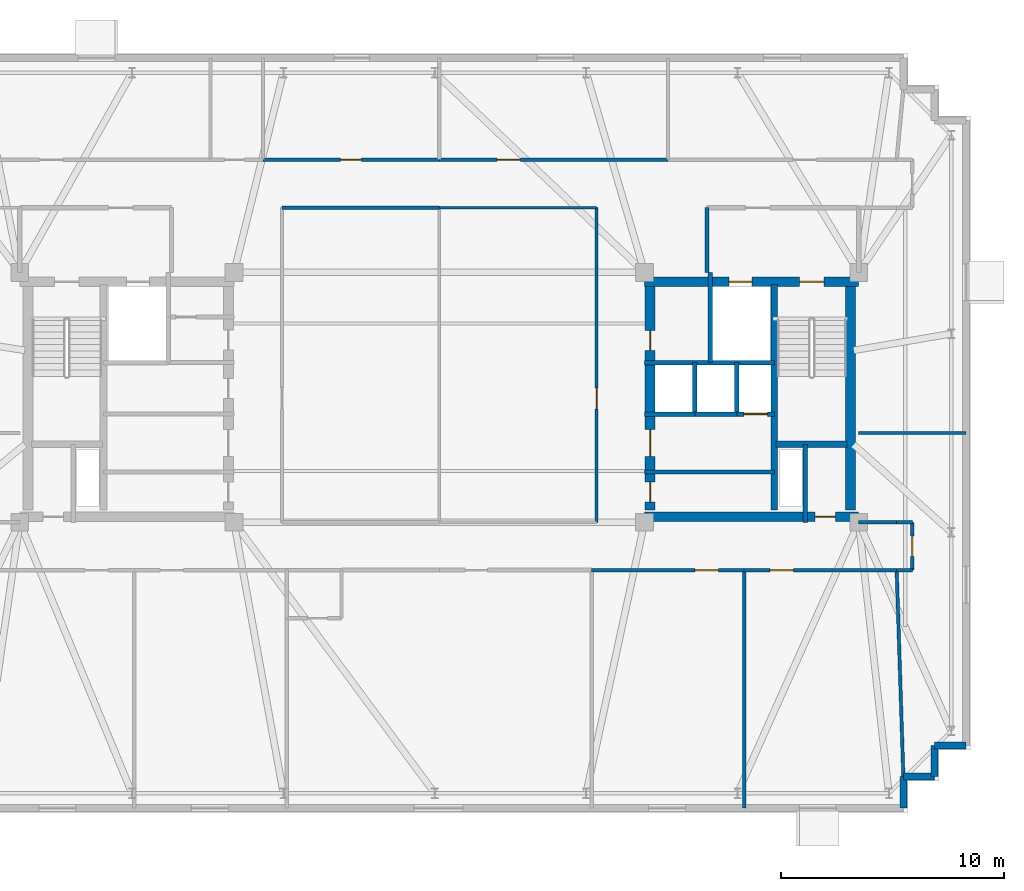
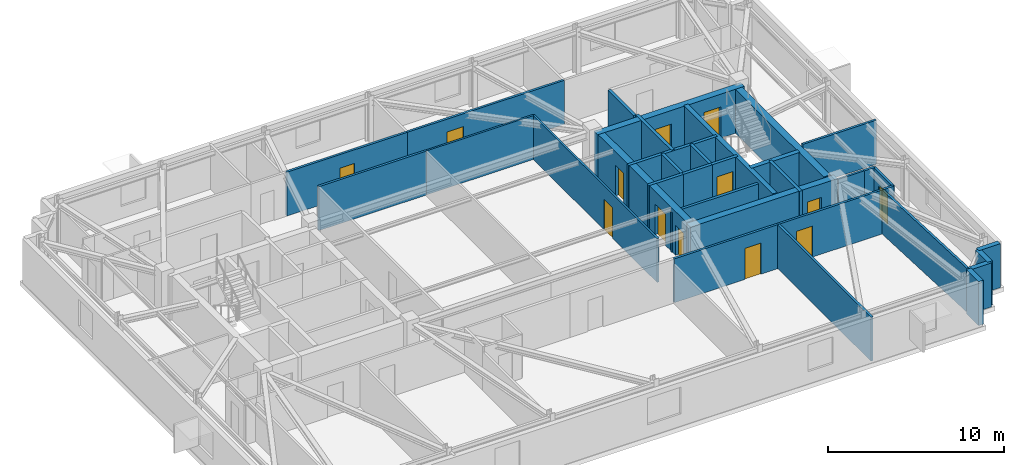
# One storey, part 7 of 10: 34 walls, 13 doors, 13 openings.
"""IFC4 building model written with IfcOpenShell, lengths in metres."""

import ifcopenshell
import ifcopenshell.guid

model = None  # the IFC model being written
_history = None  # IfcOwnerHistory: only IFC2X3 demands one
_inside = {}  # id of a spatial element -> (the spatial element, [elements in it])
_under = {}  # id of a project, library or spatial element -> (it, [spatial elements below it])
_declared = {}  # id of a project -> (the project, [libraries it declares])
_typed = {}  # id of a type object -> (the type object, [elements of that type])
_made_of = {}  # id of a material, layer set ... -> (it, [elements and type objects made of it])


def new_model(schema):
    """Start an empty IFC model of exactly this schema.

    Asked for "IFC4X3", IfcOpenShell would pick the latest addendum, in which some entities
    have other attributes; the version numbers below select the first issue.
    IFC2X3 requires an IfcOwnerHistory on every rooted entity: one is made here for all.
    """
    global model, _history
    if schema == "IFC4X3":
        model = ifcopenshell.file(schema_version=(4, 3, 0, 0))
    else:
        model = ifcopenshell.file(schema=schema)
    _inside.clear()
    _under.clear()
    _declared.clear()
    _typed.clear()
    _made_of.clear()
    _history = None
    if model.schema == "IFC2X3":
        org = make("IfcOrganization", Name="unknown")
        user = make(
            "IfcPersonAndOrganization",
            ThePerson=make("IfcPerson", FamilyName="unknown"),
            TheOrganization=org,
        )
        app = make(
            "IfcApplication",
            ApplicationDeveloper=org,
            Version="unknown",
            ApplicationFullName="unknown",
            ApplicationIdentifier="unknown",
        )
        _history = make(
            "IfcOwnerHistory",
            OwningUser=user,
            OwningApplication=app,
            ChangeAction="ADDED",
            CreationDate=0,
        )
    return model


def make(cls, **values):
    """One entity of the class cls with the attributes given. An attribute that is None is left unset."""
    return model.create_entity(
        cls, **{name: value for name, value in values.items() if value is not None}
    )


def rooted(cls, **values):
    """An entity with a GlobalId (a new one), such as an element, a storey or a relation."""
    return make(cls, GlobalId=ifcopenshell.guid.new(), OwnerHistory=_history, **values)


def si_unit(unit_type, name, prefix=None):
    """IfcSIUnit, for example si_unit("LENGTHUNIT", "METRE", prefix="MILLI")."""
    return make("IfcSIUnit", UnitType=unit_type, Prefix=prefix, Name=name)


def assignment(units):
    """IfcUnitAssignment: the units of a project."""
    return None if units is None else make("IfcUnitAssignment", Units=units)


def point(xyz):
    """IfcCartesianPoint."""
    return None if xyz is None else make("IfcCartesianPoint", Coordinates=xyz)


def direction(xyz):
    """IfcDirection."""
    return None if xyz is None else make("IfcDirection", DirectionRatios=xyz)


def frame(location, z_axis=None, x_axis=None):
    """IfcAxis2Placement3D, a coordinate frame: its origin and axes. An axis left out is left unset."""
    return make(
        "IfcAxis2Placement3D",
        Location=point(location),
        Axis=direction(z_axis),
        RefDirection=direction(x_axis),
    )


def frame_2d(location, x_axis=None):
    """IfcAxis2Placement2D, a coordinate frame in the plane: its origin and x axis."""
    return make(
        "IfcAxis2Placement2D", Location=point(location), RefDirection=direction(x_axis)
    )


def origin():
    """The frame at (0, 0, 0) with its axes left unset."""
    return frame((0.0, 0.0, 0.0))


def place(relative_to, where):
    """IfcLocalPlacement: puts the frame where relative to a parent placement (None: the world)."""
    return make(
        "IfcLocalPlacement", PlacementRelTo=relative_to, RelativePlacement=where
    )


def context(
    kind, dimensions, precision=None, world=None, true_north=None, identifier=None
):
    """IfcGeometricRepresentationContext, for example the 3D "Model" context."""
    return make(
        "IfcGeometricRepresentationContext",
        ContextIdentifier=identifier,
        ContextType=kind,
        CoordinateSpaceDimension=dimensions,
        Precision=precision,
        WorldCoordinateSystem=world,
        TrueNorth=true_north,
    )


def subcontext(parent, identifier, kind, view, scale=None):
    """IfcGeometricRepresentationSubContext, for example "Body" below "Model"."""
    return make(
        "IfcGeometricRepresentationSubContext",
        ContextIdentifier=identifier,
        ContextType=kind,
        ParentContext=parent,
        TargetScale=scale,
        TargetView=view,
    )


def project(units=None, contexts=None):
    """IfcProject with its units and contexts."""
    return rooted(
        "IfcProject",
        Name="project",
        RepresentationContexts=contexts,
        UnitsInContext=assignment(units),
    )


def spatial(cls, under=None, at=None, **own):
    """A site, building, storey or space (cls), placed at a placement, below another one or the project."""
    s = rooted(cls, ObjectPlacement=at, **own)
    if under is not None:
        _under.setdefault(under.id(), (under, []))[1].append(s)
    return s


def profile(cls, at=None, kind="AREA", **sizes):
    """A parametric profile (cls). Its sizes go by their IFC names, for example OverallWidth=200.0."""
    return make(cls, ProfileType=kind, Position=at, **sizes)


def rectangle(**sizes):
    """IfcRectangleProfileDef."""
    return profile("IfcRectangleProfileDef", **sizes)


def extrude(swept, where, along, depth):
    """IfcExtrudedAreaSolid: the profile swept, set in the frame where, extruded along a direction by depth."""
    return make(
        "IfcExtrudedAreaSolid",
        SweptArea=swept,
        Position=where,
        ExtrudedDirection=direction(along),
        Depth=depth,
    )


def shape(context_of_items, identifier, shape_type, items):
    """IfcShapeRepresentation: the items that make up one representation, for example the "Body"."""
    return make(
        "IfcShapeRepresentation",
        ContextOfItems=context_of_items,
        RepresentationIdentifier=identifier,
        RepresentationType=shape_type,
        Items=items,
    )


def material(Name=None, Category=None):
    """IfcMaterial."""
    return make("IfcMaterial", Name=Name, Category=Category)


def layer(
    of_material, thickness, ventilated=None, Name=None, Category=None, Priority=None
):
    """IfcMaterialLayer: one layer of a wall or slab, of a material (None: an air gap)."""
    return make(
        "IfcMaterialLayer",
        Material=of_material,
        LayerThickness=thickness,
        IsVentilated=ventilated,
        Name=Name,
        Category=Category,
        Priority=Priority,
    )


def layer_set(layers, Name=None):
    """IfcMaterialLayerSet."""
    return make("IfcMaterialLayerSet", MaterialLayers=layers, LayerSetName=Name)


def made_of(thing, what):
    """Note that an element or type object is made of a material, layer set ...; save() writes the relation."""
    if what is not None:
        _made_of.setdefault(what.id(), (what, []))[1].append(thing)
    return thing


def type_object(cls, material=None, **own):
    """A type object (cls), such as IfcWallType, which elements share."""
    return made_of(rooted(cls, **own), material)


def element(
    cls,
    number,
    at=None,
    inside=None,
    cuts=None,
    type_object=None,
    material=None,
    context=None,
    identifier="Body",
    shape_type=None,
    held_by="IfcProductDefinitionShape",
    body=None,
    shapes=None,
    **own,
):
    """One element of the class cls, such as IfcWall. Its Tag is "e" and its number.

    at: its placement. inside: the storey or other place that contains it. cuts: it is an
    opening in that element (IfcRelVoidsElement). A single representation is given by context,
    identifier, shape_type and body (its items); several are given by shapes. held_by: the class
    of the entity that holds the representations. save() writes the other relations.
    """
    e = rooted(cls, Tag="e%d" % number, ObjectPlacement=at, **own)
    if body is not None:
        shapes = [shape(context, identifier, shape_type, body)]
    if shapes is not None:
        e.Representation = make(held_by, Representations=shapes)
    if inside is not None:
        _inside.setdefault(inside.id(), (inside, []))[1].append(e)
    if cuts is not None:
        rooted(
            "IfcRelVoidsElement", RelatingBuildingElement=cuts, RelatedOpeningElement=e
        )
    if type_object is not None:
        _typed.setdefault(type_object.id(), (type_object, []))[1].append(e)
    return made_of(e, material)


def fill(opening, filler):
    """IfcRelFillsElement: the door or window that sits in an opening."""
    return rooted(
        "IfcRelFillsElement",
        RelatingOpeningElement=opening,
        RelatedBuildingElement=filler,
    )


def aggregate(whole, parts):
    """IfcRelAggregates: a whole, such as a stair, and the parts it consists of."""
    return rooted("IfcRelAggregates", RelatingObject=whole, RelatedObjects=parts)


def save(model, path):
    """Write the relations noted so far, then the file.

    IfcRelAggregates (storeys below a building ...), IfcRelContainedInSpatialStructure (elements
    in a storey), IfcRelDefinesByType, IfcRelAssociatesMaterial and IfcRelDeclares: one each for
    every whole, place, type object, material and project.
    """
    for whole, parts in _under.values():
        aggregate(whole, parts)
    for where, things in _inside.values():
        rooted(
            "IfcRelContainedInSpatialStructure",
            RelatedElements=things,
            RelatingStructure=where,
        )
    for kind, things in _typed.values():
        rooted("IfcRelDefinesByType", RelatedObjects=things, RelatingType=kind)
    for what, things in _made_of.values():
        rooted("IfcRelAssociatesMaterial", RelatedObjects=things, RelatingMaterial=what)
    for by, libraries in _declared.values():
        rooted("IfcRelDeclares", RelatingContext=by, RelatedDefinitions=libraries)
    model.write(path)


model = new_model("IFC4")

# Units and contexts
model_context = context("Model", 3, precision=1e-05, world=origin(), true_north=direction((0.0, 1.0)))
body_context = subcontext(model_context, "Body", "Model", "MODEL_VIEW")
ifc_project = project(units=[si_unit("LENGTHUNIT", "METRE"), si_unit("AREAUNIT", "SQUARE_METRE"), si_unit("VOLUMEUNIT", "CUBIC_METRE"), si_unit("PLANEANGLEUNIT", "RADIAN"), si_unit("MASSUNIT", "GRAM", prefix="KILO")], contexts=[model_context])

# Site, building, storey
site_placement = place(None, origin())
site = spatial("IfcSite", under=ifc_project, at=site_placement, CompositionType="ELEMENT")
building_placement = place(site_placement, origin())
building = spatial("IfcBuilding", under=site, at=building_placement, Name="Qobustan Lattice House", CompositionType="ELEMENT")
storey_placement = place(building_placement, frame((0.0, 0.0, 231.64990234375)))
storey = spatial("IfcBuildingStorey", under=building, at=storey_placement, Name="L65", CompositionType="ELEMENT", Elevation=231.64990234375)

# Wall, openings, doors
ifc_material_1 = material(Name="Concrete C50/60", Category="concrete")
ifc_layer_1 = layer(ifc_material_1, 0.43994140625)
ifc_layer_set_1 = layer_set([ifc_layer_1], Name="Concrete C50/60")
wall_type_1 = type_object("IfcWallType", Name="WAL-CORE-440", PredefinedType="SHEAR", material=ifc_layer_set_1)
wall_1_placement = place(storey_placement, frame((9.199951171875, 5.179931640625, 0.0), z_axis=(0.0, 0.0, 1.0), x_axis=(1.0, 0.0, 0.0)))
wall_1 = element("IfcWall", 1, at=wall_1_placement, inside=storey, type_object=wall_type_1, Name="L65 split-core shear wall CE-N", PredefinedType="SHEAR", context=body_context, shape_type="SweptSolid", body=[
    extrude(rectangle(XDim=9.60009765625, YDim=0.43994140625, at=frame_2d((4.800048828125, 0.0))), origin(), (0.0, 0.0, 1.0), 3.0400390625),
])
opening_1_placement = place(wall_1_placement, frame((6.949951171875, 0.0, 0.0)))
opening_1 = element("IfcOpeningElement", 2, at=opening_1_placement, cuts=wall_1, Name="Opening SD-01", PredefinedType="OPENING", context=body_context, shape_type="SweptSolid", body=[
    extrude(rectangle(XDim=1.10009765625, YDim=2.14990234375, at=frame_2d((0.550048828125, 1.074951171875))), frame((0.0, 0.22998046875, 0.0), z_axis=(0.0, -1.0, 0.0), x_axis=(1.0, 0.0, 0.0)), (0.0, 0.0, 1.0), 0.4599609375),
])
opening_2_placement = place(wall_1_placement, frame((3.77490234375, 0.0, 0.0)))
opening_2 = element("IfcOpeningElement", 3, at=opening_2_placement, cuts=wall_1, Name="Opening LD-01", PredefinedType="OPENING", context=body_context, shape_type="SweptSolid", body=[
    extrude(rectangle(XDim=1.050048828125, YDim=2.10009765625, at=frame_2d((0.52490234375, 1.050048828125))), frame((0.0, 0.22998046875, 0.0), z_axis=(0.0, -1.0, 0.0), x_axis=(1.0, 0.0, 0.0)), (0.0, 0.0, 1.0), 0.4599609375),
])
ifc_material_2 = material(Name="Persian walnut timber and steel frame door", Category="steel")
door_type_1 = type_object("IfcDoorType", Name="DOR-LIFT-LD-1050x2100", OperationType="NOTDEFINED", PredefinedType="DOOR", material=ifc_material_2)
door_1_placement = place(opening_2_placement, origin())
door_1 = element("IfcDoor", 4, at=door_1_placement, inside=storey, type_object=door_type_1, Name="L65 firefighting lift FF-E landing door", OperationType="DOUBLE_DOOR_SLIDING", OverallHeight=2.10009765625, OverallWidth=1.050048828125, PredefinedType="DOOR", context=body_context, shape_type="SweptSolid", body=[
    extrude(rectangle(XDim=1.050048828125, YDim=2.10009765625, at=frame_2d((0.52490234375, 1.050048828125))), frame((0.0, 0.02490234375, 0.0), z_axis=(0.0, -1.0, 0.0), x_axis=(1.0, 0.0, 0.0)), (0.0, 0.0, 1.0), 0.050048828125),
])
fill(opening_2, door_1)
ifc_material_3 = material(Name="Persian walnut timber and steel frame door", Category="steel")
door_type_2 = type_object("IfcDoorType", Name="DOR-STAIR-FD-1100x2150", OperationType="NOTDEFINED", PredefinedType="DOOR", material=ifc_material_3)
door_2_placement = place(opening_1_placement, origin())
door_2 = element("IfcDoor", 5, at=door_2_placement, inside=storey, type_object=door_type_2, Name="L65 exit stair ST-E1 fire door", OperationType="SINGLE_SWING_RIGHT", OverallHeight=2.14990234375, OverallWidth=1.10009765625, PredefinedType="DOOR", context=body_context, shape_type="SweptSolid", body=[
    extrude(rectangle(XDim=1.10009765625, YDim=2.14990234375, at=frame_2d((0.550048828125, 1.074951171875))), frame((0.0, 0.02490234375, 0.0), z_axis=(0.0, -1.0, 0.0), x_axis=(1.0, 0.0, 0.0)), (0.0, 0.0, 1.0), 0.050048828125),
])
fill(opening_1, door_2)

# Wall, opening, door
wall_2_placement = place(storey_placement, frame((9.199951171875, -5.35009765625, 0.0), z_axis=(0.0, 0.0, 1.0), x_axis=(1.0, 0.0, 0.0)))
wall_2 = element("IfcWall", 6, at=wall_2_placement, inside=storey, type_object=wall_type_1, Name="L65 split-core shear wall CE-S", PredefinedType="SHEAR", context=body_context, shape_type="SweptSolid", body=[
    extrude(rectangle(XDim=9.60009765625, YDim=0.43994140625, at=frame_2d((4.800048828125, 0.0))), origin(), (0.0, 0.0, 1.0), 3.0400390625),
])
opening_3_placement = place(wall_2_placement, frame((7.64990234375, 0.0, 0.0)))
opening_3 = element("IfcOpeningElement", 7, at=opening_3_placement, cuts=wall_2, Name="Opening RD-01", PredefinedType="OPENING", context=body_context, shape_type="SweptSolid", body=[
    extrude(rectangle(XDim=0.89990234375, YDim=2.10009765625, at=frame_2d((0.449951171875, 1.050048828125))), frame((0.0, 0.22998046875, 0.0), z_axis=(0.0, -1.0, 0.0), x_axis=(1.0, 0.0, 0.0)), (0.0, 0.0, 1.0), 0.4599609375),
])
ifc_material_4 = material(Name="Persian walnut timber and steel frame door", Category="steel")
door_type_3 = type_object("IfcDoorType", Name="DOR-RISER-FD-900x2100", OperationType="NOTDEFINED", PredefinedType="DOOR", material=ifc_material_4)
door_3_placement = place(opening_3_placement, origin())
door_3 = element("IfcDoor", 8, at=door_3_placement, inside=storey, type_object=door_type_3, Name="L65 core service riser access door E", OperationType="SINGLE_SWING_RIGHT", OverallHeight=2.10009765625, OverallWidth=0.89990234375, PredefinedType="DOOR", context=body_context, shape_type="SweptSolid", body=[
    extrude(rectangle(XDim=0.89990234375, YDim=2.10009765625, at=frame_2d((0.449951171875, 1.050048828125))), frame((0.0, 0.02490234375, 0.0), z_axis=(0.0, -1.0, 0.0), x_axis=(1.0, 0.0, 0.0)), (0.0, 0.0, 1.0), 0.050048828125),
])
fill(opening_3, door_3)

# Wall, openings, doors
wall_3_placement = place(storey_placement, frame((9.449951171875, -5.050048828125, 0.0), z_axis=(0.0, 0.0, 1.0), x_axis=(0.0, 1.0, 0.0)))
wall_3 = element("IfcWall", 9, at=wall_3_placement, inside=storey, type_object=wall_type_1, Name="L65 split-core shear wall CE-W", PredefinedType="SHEAR", context=body_context, shape_type="SweptSolid", body=[
    extrude(rectangle(XDim=10.10009765625, YDim=0.43994140625, at=frame_2d((5.050048828125, 0.0))), origin(), (0.0, 0.0, 1.0), 3.0400390625),
])
opening_4_placement = place(wall_3_placement, frame((7.14990234375, 0.0, 0.0)))
opening_4 = element("IfcOpeningElement", 10, at=opening_4_placement, cuts=wall_3, Name="Opening RD-01", PredefinedType="OPENING", context=body_context, shape_type="SweptSolid", body=[
    extrude(rectangle(XDim=0.89990234375, YDim=2.10009765625, at=frame_2d((0.449951171875, 1.050048828125))), frame((0.0, 0.22998046875, 0.0), z_axis=(0.0, -1.0, 0.0), x_axis=(1.0, 0.0, 0.0)), (0.0, 0.0, 1.0), 0.4599609375),
])
opening_5_placement = place(wall_3_placement, frame((2.39990234375, 0.0, 0.0)))
opening_5 = element("IfcOpeningElement", 11, at=opening_5_placement, cuts=wall_3, Name="Opening FD-01", PredefinedType="OPENING", context=body_context, shape_type="SweptSolid", body=[
    extrude(rectangle(XDim=1.199951171875, YDim=2.14990234375, at=frame_2d((0.60009765625, 1.074951171875))), frame((0.0, 0.22998046875, 0.0), z_axis=(0.0, -1.0, 0.0), x_axis=(1.0, 0.0, 0.0)), (0.0, 0.0, 1.0), 0.4599609375),
])
opening_6_placement = place(wall_3_placement, frame((0.35009765625, 0.0, 0.0)))
opening_6 = element("IfcOpeningElement", 12, at=opening_6_placement, cuts=wall_3, Name="Opening RD-01", PredefinedType="OPENING", context=body_context, shape_type="SweptSolid", body=[
    extrude(rectangle(XDim=0.89990234375, YDim=2.10009765625, at=frame_2d((0.449951171875, 1.050048828125))), frame((0.0, 0.22998046875, 0.0), z_axis=(0.0, -1.0, 0.0), x_axis=(1.0, 0.0, 0.0)), (0.0, 0.0, 1.0), 0.4599609375),
])
ifc_material_5 = material(Name="Persian walnut timber and steel frame door", Category="steel")
door_type_4 = type_object("IfcDoorType", Name="DOR-LOBBY-FD-1200x2150", OperationType="NOTDEFINED", PredefinedType="DOOR", material=ifc_material_5)
door_4_placement = place(opening_5_placement, origin())
door_4 = element("IfcDoor", 13, at=door_4_placement, inside=storey, type_object=door_type_4, Name="L65 East passenger lift lobby fire door", OperationType="SINGLE_SWING_LEFT", OverallHeight=2.14990234375, OverallWidth=1.199951171875, PredefinedType="DOOR", context=body_context, shape_type="SweptSolid", body=[
    extrude(rectangle(XDim=1.199951171875, YDim=2.14990234375, at=frame_2d((0.60009765625, 1.074951171875))), frame((0.0, 0.02490234375, 0.0), z_axis=(0.0, -1.0, 0.0), x_axis=(1.0, 0.0, 0.0)), (0.0, 0.0, 1.0), 0.050048828125),
])
fill(opening_5, door_4)
door_5_placement = place(opening_4_placement, origin())
door_5 = element("IfcDoor", 14, at=door_5_placement, inside=storey, type_object=door_type_3, Name="L65 Housekeeping linen store fire door", OperationType="SINGLE_SWING_RIGHT", OverallHeight=2.10009765625, OverallWidth=0.89990234375, PredefinedType="DOOR", context=body_context, shape_type="SweptSolid", body=[
    extrude(rectangle(XDim=0.89990234375, YDim=2.10009765625, at=frame_2d((0.449951171875, 1.050048828125))), frame((0.0, 0.02490234375, 0.0), z_axis=(0.0, -1.0, 0.0), x_axis=(1.0, 0.0, 0.0)), (0.0, 0.0, 1.0), 0.050048828125),
])
fill(opening_4, door_5)
door_6_placement = place(opening_6_placement, origin())
door_6 = element("IfcDoor", 15, at=door_6_placement, inside=storey, type_object=door_type_3, Name="L65 Graduate seminar alcove fire door", OperationType="SINGLE_SWING_RIGHT", OverallHeight=2.10009765625, OverallWidth=0.89990234375, PredefinedType="DOOR", context=body_context, shape_type="SweptSolid", body=[
    extrude(rectangle(XDim=0.89990234375, YDim=2.10009765625, at=frame_2d((0.449951171875, 1.050048828125))), frame((0.0, 0.02490234375, 0.0), z_axis=(0.0, -1.0, 0.0), x_axis=(1.0, 0.0, 0.0)), (0.0, 0.0, 1.0), 0.050048828125),
])
fill(opening_6, door_6)

# Walls
wall_4_placement = place(storey_placement, frame((18.429931640625, -5.050048828125, 0.0), z_axis=(0.0, 0.0, 1.0), x_axis=(0.0, 1.0, 0.0)))
element("IfcWall", 16, at=wall_4_placement, inside=storey, type_object=wall_type_1, Name="L65 split-core shear wall CE-E", PredefinedType="SHEAR", context=body_context, shape_type="SweptSolid", body=[
    extrude(rectangle(XDim=10.10009765625, YDim=0.43994140625, at=frame_2d((5.050048828125, 0.0))), origin(), (0.0, 0.0, 1.0), 3.0400390625),
])
ifc_material_6 = material(Name="Concrete C50/60", Category="concrete")
ifc_layer_2 = layer(ifc_material_6, 0.280029296875)
ifc_layer_set_2 = layer_set([ifc_layer_2], Name="Concrete C50/60")
wall_type_2 = type_object("IfcWallType", Name="WAL-CORE-SPINE-280", PredefinedType="SHEAR", material=ifc_layer_set_2)
wall_5_placement = place(storey_placement, frame((15.02001953125, -5.050048828125, 0.0), z_axis=(0.0, 0.0, 1.0), x_axis=(0.0, 1.0, 0.0)))
element("IfcWall", 17, at=wall_5_placement, inside=storey, type_object=wall_type_2, Name="L65 split-core shear wall CE-M", PredefinedType="SHEAR", context=body_context, shape_type="SweptSolid", body=[
    extrude(rectangle(XDim=10.10009765625, YDim=0.300048828125, at=frame_2d((5.050048828125, 0.0))), origin(), (0.0, 0.0, 1.0), 3.0400390625),
])
wall_6_placement = place(storey_placement, frame((15.10009765625, -2.110107421875, 0.0), z_axis=(0.0, 0.0, 1.0), x_axis=(1.0, 0.0, 0.0)))
element("IfcWall", 18, at=wall_6_placement, inside=storey, type_object=wall_type_2, Name="L65 split-core shear wall CE-ST", PredefinedType="SHEAR", context=body_context, shape_type="SweptSolid", body=[
    extrude(rectangle(XDim=3.179931640625, YDim=0.300048828125, at=frame_2d((1.58984375, 0.0))), origin(), (0.0, 0.0, 1.0), 3.0400390625),
])
ifc_material_7 = material(Name="Precast concrete C40/50", Category="concrete")
ifc_layer_3 = layer(ifc_material_7, 0.320068359375)
ifc_layer_set_3 = layer_set([ifc_layer_3], Name="Precast concrete C40/50")
wall_type_3 = type_object("IfcWallType", Name="WAL-EXT-STONE-320", PredefinedType="SOLIDWALL", material=ifc_layer_set_3)
wall_7_placement = place(storey_placement, frame((23.60009765625, -15.60009765625, 0.0), z_axis=(0.0, 0.0, 1.0), x_axis=(-1.0, 0.0, 0.0)))
element("IfcWall", 19, at=wall_7_placement, inside=storey, type_object=wall_type_3, Name="L65 exterior limestone-clad wall 16", PredefinedType="SOLIDWALL", context=body_context, shape_type="SweptSolid", body=[
    extrude(rectangle(XDim=1.400146484375, YDim=0.320068359375, at=frame_2d((0.7001953125, 0.0))), origin(), (0.0, 0.0, 1.0), 3.0400390625),
])
for number, where, z_axis, x_axis, name in (
    (20, (22.199951171875, -15.60009765625, 0.0), (0.0, 0.0, 1.0), (0.0, -1.0, 0.0), "L65 exterior limestone-clad wall 17"),
    (21, (22.199951171875, -17.0, 0.0), (0.0, 0.0, 1.0), (-1.0, 0.0, 0.0), "L65 exterior limestone-clad wall 18"),
    (22, (20.800048828125, -17.0, 0.0), (0.0, 0.0, 1.0), (0.0, -1.0, 0.0), "L65 exterior limestone-clad wall 19"),
):
    element("IfcWall", number, at=place(storey_placement, frame(where, z_axis=z_axis, x_axis=x_axis)), inside=storey, type_object=wall_type_3, Name=name, PredefinedType="SOLIDWALL", context=body_context, shape_type="SweptSolid", body=[
        extrude(rectangle(XDim=1.39990234375, YDim=0.320068359375, at=frame_2d((0.699951171875, 0.0))), origin(), (0.0, 0.0, 1.0), 3.0400390625),
    ])
ifc_material_8 = material(Name="Gypsum fireboard acoustic partition", Category="gypsum")
ifc_layer_4 = layer(ifc_material_8, 0.179931640625)
ifc_layer_set_4 = layer_set([ifc_layer_4], Name="Gypsum fireboard acoustic partition")
wall_type_4 = type_object("IfcWallType", Name="WAL-FIRE-180", PredefinedType="PARTITIONING", material=ifc_layer_set_4)
wall_8_placement = place(storey_placement, frame((9.199951171875, -3.35009765625, 0.0), z_axis=(0.0, 0.0, 1.0), x_axis=(1.0, 0.0, 0.0)))
element("IfcWall", 23, at=wall_8_placement, inside=storey, type_object=wall_type_4, Name="L65 interior partition 21", PredefinedType="PARTITIONING", context=body_context, shape_type="SweptSolid", body=[
    extrude(rectangle(XDim=5.820068359375, YDim=0.179931640625, at=frame_2d((2.91015625, 0.0))), origin(), (0.0, 0.0, 1.0), 2.755126953125),
])
ifc_material_9 = material(Name="Lightweight acoustic stud partition", Category="gypsum")
ifc_layer_5 = layer(ifc_material_9, 0.125)
ifc_layer_set_5 = layer_set([ifc_layer_5], Name="Lightweight acoustic stud partition")
wall_type_5 = type_object("IfcWallType", Name="WAL-PART-125", PredefinedType="PARTITIONING", material=ifc_layer_set_5)
wall_9_placement = place(storey_placement, frame((7.050048828125, 8.5, 0.0), z_axis=(0.0, 0.0, 1.0), x_axis=(-1.0, 0.0, 0.0)))
element("IfcWall", 24, at=wall_9_placement, inside=storey, type_object=wall_type_5, Name="L65 interior partition 43", PredefinedType="PARTITIONING", context=body_context, shape_type="SweptSolid", body=[
    extrude(rectangle(XDim=7.050048828125, YDim=0.125, at=frame_2d((3.52490234375, 0.0))), origin(), (0.0, 0.0, 1.0), 3.0400390625),
])

# Wall, opening, door
wall_10_placement = place(storey_placement, frame((7.050048828125, -5.60009765625, 0.0), z_axis=(0.0, 0.0, 1.0), x_axis=(0.0, 1.0, 0.0)))
wall_10 = element("IfcWall", 25, at=wall_10_placement, inside=storey, type_object=wall_type_5, Name="L65 interior partition 62", PredefinedType="PARTITIONING", context=body_context, shape_type="SweptSolid", body=[
    extrude(rectangle(XDim=14.10009765625, YDim=0.125, at=frame_2d((7.050048828125, 0.0))), origin(), (0.0, 0.0, 1.0), 3.0400390625),
])
opening_7_placement = place(wall_10_placement, frame((5.076171875, 0.0, 0.0)))
opening_7 = element("IfcOpeningElement", 26, at=opening_7_placement, cuts=wall_10, Name="Opening ID-01", PredefinedType="OPENING", context=body_context, shape_type="SweptSolid", body=[
    extrude(rectangle(XDim=0.949951171875, YDim=2.10009765625, at=frame_2d((0.47509765625, 1.050048828125))), frame((0.0, 0.072509765625, 0.0), z_axis=(0.0, -1.0, 0.0), x_axis=(1.0, 0.0, 0.0)), (0.0, 0.0, 1.0), 0.14501953125),
])
ifc_material_10 = material(Name="Persian walnut timber and steel frame door", Category="steel")
door_type_5 = type_object("IfcDoorType", Name="DOR-ROOM-950x2100", OperationType="NOTDEFINED", PredefinedType="DOOR", material=ifc_material_10)
door_7_placement = place(opening_7_placement, origin())
door_7 = element("IfcDoor", 27, at=door_7_placement, inside=storey, type_object=door_type_5, Name="L65 East floor link corridor to Focus pod suite door", OperationType="SINGLE_SWING_RIGHT", OverallHeight=2.10009765625, OverallWidth=0.949951171875, PredefinedType="DOOR", context=body_context, shape_type="SweptSolid", body=[
    extrude(rectangle(XDim=0.949951171875, YDim=2.10009765625, at=frame_2d((0.47509765625, 1.050048828125))), frame((0.0, 0.02490234375, 0.0), z_axis=(0.0, -1.0, 0.0), x_axis=(1.0, 0.0, 0.0)), (0.0, 0.0, 1.0), 0.050048828125),
])
fill(opening_7, door_7)

ifc_material_11 = material(Name="Acoustic twin-stud gypsum partition", Category="gypsum")
ifc_layer_6 = layer(ifc_material_11, 0.14990234375)
ifc_layer_set_6 = layer_set([ifc_layer_6], Name="Acoustic twin-stud gypsum partition")
wall_type_6 = type_object("IfcWallType", Name="WAL-PART-150", PredefinedType="PARTITIONING", material=ifc_layer_set_6)
wall_11_placement = place(storey_placement, frame((-7.89990234375, 10.64990234375, 0.0), z_axis=(0.0, 0.0, 1.0), x_axis=(1.0, 0.0, 0.0)))
wall_11 = element("IfcWall", 28, at=wall_11_placement, inside=storey, type_object=wall_type_6, Name="L65 interior partition 35", PredefinedType="PARTITIONING", context=body_context, shape_type="SweptSolid", body=[
    extrude(rectangle(XDim=7.89990234375, YDim=0.14990234375, at=frame_2d((3.949951171875, 0.0))), origin(), (0.0, 0.0, 1.0), 3.0400390625),
])
opening_8_placement = place(wall_11_placement, frame((3.47509765625, 0.0, 0.0)))
opening_8 = element("IfcOpeningElement", 29, at=opening_8_placement, cuts=wall_11, Name="Opening ID-01", PredefinedType="OPENING", context=body_context, shape_type="SweptSolid", body=[
    extrude(rectangle(XDim=0.949951171875, YDim=2.10009765625, at=frame_2d((0.47509765625, 1.050048828125))), frame((0.0, 0.0849609375, 0.0), z_axis=(0.0, -1.0, 0.0), x_axis=(1.0, 0.0, 0.0)), (0.0, 0.0, 1.0), 0.169921875),
])
door_8_placement = place(opening_8_placement, origin())
door_8 = element("IfcDoor", 30, at=door_8_placement, inside=storey, type_object=door_type_5, Name="L65 North-west floor corridor to Laundry utility room door", OperationType="SINGLE_SWING_RIGHT", OverallHeight=2.10009765625, OverallWidth=0.949951171875, PredefinedType="DOOR", context=body_context, shape_type="SweptSolid", body=[
    extrude(rectangle(XDim=0.949951171875, YDim=2.10009765625, at=frame_2d((0.47509765625, 1.050048828125))), frame((0.0, 0.02490234375, 0.0), z_axis=(0.0, -1.0, 0.0), x_axis=(1.0, 0.0, 0.0)), (0.0, 0.0, 1.0), 0.050048828125),
])
fill(opening_8, door_8)

# Wall
wall_12_placement = place(storey_placement, frame((0.0, 8.5, 0.0), z_axis=(0.0, 0.0, 1.0), x_axis=(-1.0, 0.0, 0.0)))
element("IfcWall", 31, at=wall_12_placement, inside=storey, type_object=wall_type_6, Name="L65 interior partition 36", PredefinedType="PARTITIONING", context=body_context, shape_type="SweptSolid", body=[
    extrude(rectangle(XDim=7.050048828125, YDim=0.14990234375, at=frame_2d((3.52490234375, 0.0))), origin(), (0.0, 0.0, 1.0), 3.0400390625),
])

# Wall, opening, door
wall_13_placement = place(storey_placement, frame((0.0, 10.64990234375, 0.0), z_axis=(0.0, 0.0, 1.0), x_axis=(1.0, 0.0, 0.0)))
wall_13 = element("IfcWall", 32, at=wall_13_placement, inside=storey, type_object=wall_type_6, Name="L65 interior partition 41", PredefinedType="PARTITIONING", context=body_context, shape_type="SweptSolid", body=[
    extrude(rectangle(XDim=10.25, YDim=0.14990234375, at=frame_2d((5.125, 0.0))), origin(), (0.0, 0.0, 1.0), 3.0400390625),
])
opening_9_placement = place(wall_13_placement, frame((2.590087890625, 0.0, 0.0)))
opening_9 = element("IfcOpeningElement", 33, at=opening_9_placement, cuts=wall_13, Name="Opening ID-02", PredefinedType="OPENING", context=body_context, shape_type="SweptSolid", body=[
    extrude(rectangle(XDim=1.050048828125, YDim=2.14990234375, at=frame_2d((0.52490234375, 1.074951171875))), frame((0.0, 0.0849609375, 0.0), z_axis=(0.0, -1.0, 0.0), x_axis=(1.0, 0.0, 0.0)), (0.0, 0.0, 1.0), 0.169921875),
])
ifc_material_12 = material(Name="Persian walnut timber and steel frame door", Category="steel")
door_type_6 = type_object("IfcDoorType", Name="DOR-STUDY-1050x2150", OperationType="NOTDEFINED", PredefinedType="DOOR", material=ifc_material_12)
door_9_placement = place(opening_9_placement, origin())
door_9 = element("IfcDoor", 34, at=door_9_placement, inside=storey, type_object=door_type_6, Name="L65 North-east floor corridor to Focus study room N3 door", OperationType="SINGLE_SWING_RIGHT", OverallHeight=2.14990234375, OverallWidth=1.050048828125, PredefinedType="DOOR", context=body_context, shape_type="SweptSolid", body=[
    extrude(rectangle(XDim=1.050048828125, YDim=2.14990234375, at=frame_2d((0.52490234375, 1.074951171875))), frame((0.0, 0.02490234375, 0.0), z_axis=(0.0, -1.0, 0.0), x_axis=(1.0, 0.0, 0.0)), (0.0, 0.0, 1.0), 0.050048828125),
])
fill(opening_9, door_9)

wall_14_placement = place(storey_placement, frame((21.199951171875, -5.60009765625, 0.0), z_axis=(0.0, 0.0, 1.0), x_axis=(0.0, -1.0, 0.0)))
wall_14 = element("IfcWall", 35, at=wall_14_placement, inside=storey, type_object=wall_type_6, Name="L65 interior partition 53", PredefinedType="PARTITIONING", context=body_context, shape_type="SweptSolid", body=[
    extrude(rectangle(XDim=2.14990234375, YDim=0.14990234375, at=frame_2d((1.074951171875, 0.0))), origin(), (0.0, 0.0, 1.0), 3.0400390625),
])
opening_10_placement = place(wall_14_placement, frame((0.625, 0.0, 0.0)))
opening_10 = element("IfcOpeningElement", 36, at=opening_10_placement, cuts=wall_14, Name="Opening WD-01", PredefinedType="OPENING", context=body_context, shape_type="SweptSolid", body=[
    extrude(rectangle(XDim=0.89990234375, YDim=2.10009765625, at=frame_2d((0.449951171875, 1.050048828125))), frame((0.0, 0.0849609375, 0.0), z_axis=(0.0, -1.0, 0.0), x_axis=(1.0, 0.0, 0.0)), (0.0, 0.0, 1.0), 0.169921875),
])
ifc_material_13 = material(Name="Persian walnut timber and steel frame door", Category="steel")
door_type_7 = type_object("IfcDoorType", Name="DOR-WET-900x2100", OperationType="NOTDEFINED", PredefinedType="DOOR", material=ifc_material_13)
door_10_placement = place(opening_10_placement, origin())
door_10 = element("IfcDoor", 37, at=door_10_placement, inside=storey, type_object=door_type_7, Name="L65 South-east floor corridor to Fellows reading room door", OperationType="SINGLE_SWING_LEFT", OverallHeight=2.10009765625, OverallWidth=0.89990234375, PredefinedType="DOOR", context=body_context, shape_type="SweptSolid", body=[
    extrude(rectangle(XDim=0.89990234375, YDim=2.10009765625, at=frame_2d((0.449951171875, 1.050048828125))), frame((0.0, 0.02490234375, 0.0), z_axis=(0.0, -1.0, 0.0), x_axis=(1.0, 0.0, 0.0)), (0.0, 0.0, 1.0), 0.050048828125),
])
fill(opening_10, door_10)

# Walls
wall_15_placement = place(storey_placement, frame((18.800048828125, -5.60009765625, 0.0), z_axis=(0.0, 0.0, 1.0), x_axis=(1.0, 0.0, 0.0)))
element("IfcWall", 38, at=wall_15_placement, inside=storey, type_object=wall_type_6, Name="L65 interior partition 54", PredefinedType="PARTITIONING", context=body_context, shape_type="SweptSolid", body=[
    extrude(rectangle(XDim=1.699951171875, YDim=0.14990234375, at=frame_2d((0.85009765625, 0.0))), origin(), (0.0, 0.0, 1.0), 3.0400390625),
])
for number, where, z_axis, x_axis, name in (
    (39, (20.5, -5.60009765625, 0.0), (0.0, 0.0, 1.0), (1.0, 0.0, 0.0), "L65 interior partition 55"),
    (40, (21.199951171875, -7.75, 0.0), (0.0, 0.0, 1.0), (-1.0, 0.0, 0.0), "L65 interior partition 56"),
):
    element("IfcWall", number, at=place(storey_placement, frame(where, z_axis=z_axis, x_axis=x_axis)), inside=storey, type_object=wall_type_6, Name=name, PredefinedType="PARTITIONING", context=body_context, shape_type="SweptSolid", body=[
        extrude(rectangle(XDim=0.699951171875, YDim=0.14990234375, at=frame_2d((0.35009765625, 0.0))), origin(), (0.0, 0.0, 1.0), 3.0400390625),
    ])

# Wall, opening, door
wall_16_placement = place(storey_placement, frame((13.66650390625, -7.75, 0.0), z_axis=(0.0, 0.0, 1.0), x_axis=(-1.0, 0.0, 0.0)))
wall_16 = element("IfcWall", 41, at=wall_16_placement, inside=storey, type_object=wall_type_6, Name="L65 interior partition 58", PredefinedType="PARTITIONING", context=body_context, shape_type="SweptSolid", body=[
    extrude(rectangle(XDim=6.83349609375, YDim=0.14990234375, at=frame_2d((3.416748046875, 0.0))), origin(), (0.0, 0.0, 1.0), 3.0400390625),
])
opening_11_placement = place(wall_16_placement, frame((1.157958984375, 0.0, 0.0)))
opening_11 = element("IfcOpeningElement", 42, at=opening_11_placement, cuts=wall_16, Name="Opening ID-02", PredefinedType="OPENING", context=body_context, shape_type="SweptSolid", body=[
    extrude(rectangle(XDim=1.050048828125, YDim=2.14990234375, at=frame_2d((0.52490234375, 1.074951171875))), frame((0.0, 0.0849609375, 0.0), z_axis=(0.0, -1.0, 0.0), x_axis=(1.0, 0.0, 0.0)), (0.0, 0.0, 1.0), 0.169921875),
])
door_11_placement = place(opening_11_placement, origin())
door_11 = element("IfcDoor", 43, at=door_11_placement, inside=storey, type_object=door_type_6, Name="L65 South-east floor corridor to Group study room door", OperationType="SINGLE_SWING_LEFT", OverallHeight=2.14990234375, OverallWidth=1.050048828125, PredefinedType="DOOR", context=body_context, shape_type="SweptSolid", body=[
    extrude(rectangle(XDim=1.050048828125, YDim=2.14990234375, at=frame_2d((0.52490234375, 1.074951171875))), frame((0.0, 0.02490234375, 0.0), z_axis=(0.0, -1.0, 0.0), x_axis=(1.0, 0.0, 0.0)), (0.0, 0.0, 1.0), 0.050048828125),
])
fill(opening_11, door_11)

wall_17_placement = place(storey_placement, frame((20.5, -7.75, 0.0), z_axis=(0.0, 0.0, 1.0), x_axis=(-1.0, 0.0, 0.0)))
wall_17 = element("IfcWall", 44, at=wall_17_placement, inside=storey, type_object=wall_type_6, Name="L65 interior partition 59", PredefinedType="PARTITIONING", context=body_context, shape_type="SweptSolid", body=[
    extrude(rectangle(XDim=6.83349609375, YDim=0.14990234375, at=frame_2d((3.416748046875, 0.0))), origin(), (0.0, 0.0, 1.0), 3.0400390625),
])
opening_12_placement = place(wall_17_placement, frame((4.62548828125, 0.0, 0.0)))
opening_12 = element("IfcOpeningElement", 45, at=opening_12_placement, cuts=wall_17, Name="Opening ID-02", PredefinedType="OPENING", context=body_context, shape_type="SweptSolid", body=[
    extrude(rectangle(XDim=1.050048828125, YDim=2.14990234375, at=frame_2d((0.52490234375, 1.074951171875))), frame((0.0, 0.0849609375, 0.0), z_axis=(0.0, -1.0, 0.0), x_axis=(1.0, 0.0, 0.0)), (0.0, 0.0, 1.0), 0.169921875),
])
door_12_placement = place(opening_12_placement, origin())
door_12 = element("IfcDoor", 46, at=door_12_placement, inside=storey, type_object=door_type_6, Name="L65 South-east floor corridor to Academic seminar room door", OperationType="SINGLE_SWING_RIGHT", OverallHeight=2.14990234375, OverallWidth=1.050048828125, PredefinedType="DOOR", context=body_context, shape_type="SweptSolid", body=[
    extrude(rectangle(XDim=1.050048828125, YDim=2.14990234375, at=frame_2d((0.52490234375, 1.074951171875))), frame((0.0, 0.02490234375, 0.0), z_axis=(0.0, -1.0, 0.0), x_axis=(1.0, 0.0, 0.0)), (0.0, 0.0, 1.0), 0.050048828125),
])
fill(opening_12, door_12)

# Walls
wall_18_placement = place(storey_placement, frame((18.800048828125, -1.60009765625, 0.0), z_axis=(0.0, 0.0, 1.0), x_axis=(1.0, 0.0, 0.0)))
element("IfcWall", 47, at=wall_18_placement, inside=storey, type_object=wall_type_6, Name="L65 interior partition 66", PredefinedType="PARTITIONING", context=body_context, shape_type="SweptSolid", body=[
    extrude(rectangle(XDim=4.800048828125, YDim=0.14990234375, at=frame_2d((2.39990234375, 0.0))), origin(), (0.0, 0.0, 1.0), 3.0400390625),
])
wall_19_placement = place(storey_placement, frame((20.800048828125, -17.0, 0.0), z_axis=(0.0, 0.0, 1.0), x_axis=(-0.032420659042, 0.99947431226, 0.0)))
element("IfcWall", 48, at=wall_19_placement, inside=storey, type_object=wall_type_6, Name="L65 interior partition 67", PredefinedType="PARTITIONING", context=body_context, shape_type="SweptSolid", body=[
    extrude(rectangle(XDim=9.2548828125, YDim=0.14990234375, at=frame_2d((4.62744140625, 0.0))), origin(), (0.0, 0.0, 1.0), 3.0400390625),
])
wall_20_placement = place(storey_placement, frame((13.66650390625, -7.75, 0.0), z_axis=(0.0, 0.0, 1.0), x_axis=(0.0, -1.0, 0.0)))
element("IfcWall", 49, at=wall_20_placement, inside=storey, type_object=wall_type_6, Name="L65 interior partition 79", PredefinedType="PARTITIONING", context=body_context, shape_type="SweptSolid", body=[
    extrude(rectangle(XDim=10.64990234375, YDim=0.14990234375, at=frame_2d((5.324951171875, 0.0))), origin(), (0.0, 0.0, 1.0), 3.0400390625),
])
ifc_material_14 = material(Name="Two-hour gypsum fireboard acoustic partition", Category="gypsum")
ifc_layer_7 = layer(ifc_material_14, 0.199951171875)
ifc_layer_set_7 = layer_set([ifc_layer_7], Name="Two-hour gypsum fireboard acoustic partition")
wall_type_7 = type_object("IfcWallType", Name="WAL-PROT-200", PredefinedType="PARTITIONING", material=ifc_layer_set_7)
wall_21_placement = place(storey_placement, frame((12.0, 8.5, 0.0), z_axis=(0.0, 0.0, 1.0), x_axis=(0.0, -1.0, 0.0)))
element("IfcWall", 50, at=wall_21_placement, inside=storey, type_object=wall_type_7, Name="L65 interior partition 18", PredefinedType="PARTITIONING", context=body_context, shape_type="SweptSolid", body=[
    extrude(rectangle(XDim=2.89990234375, YDim=0.199951171875, at=frame_2d((1.449951171875, 0.0))), origin(), (0.0, 0.0, 1.0), 3.0400390625),
])
ifc_material_15 = material(Name="Concrete C40/50", Category="concrete")
ifc_layer_8 = layer(ifc_material_15, 0.199951171875)
ifc_layer_set_8 = layer_set([ifc_layer_8], Name="Concrete C40/50")
wall_type_8 = type_object("IfcWallType", Name="WAL-SHAFT-200", PredefinedType="PARTITIONING", material=ifc_layer_set_8)
wall_22_placement = place(storey_placement, frame((16.39990234375, -2.110107421875, 0.0), z_axis=(0.0, 0.0, 1.0), x_axis=(0.0, -1.0, 0.0)))
element("IfcWall", 51, at=wall_22_placement, inside=storey, type_object=wall_type_8, Name="L65 interior partition 15", PredefinedType="PARTITIONING", context=body_context, shape_type="SweptSolid", body=[
    extrude(rectangle(XDim=3.489990234375, YDim=0.199951171875, at=frame_2d((1.7451171875, 0.0))), origin(), (0.0, 0.0, 1.0), 3.0400390625),
])
wall_23_placement = place(storey_placement, frame((12.14990234375, 5.60009765625, 0.0), z_axis=(0.0, 0.0, 1.0), x_axis=(0.0, -1.0, 0.0)))
element("IfcWall", 52, at=wall_23_placement, inside=storey, type_object=wall_type_8, Name="L65 interior partition 16", PredefinedType="PARTITIONING", context=body_context, shape_type="SweptSolid", body=[
    extrude(rectangle(XDim=4.050048828125, YDim=0.199951171875, at=frame_2d((2.02490234375, 0.0))), origin(), (0.0, 0.0, 1.0), 3.0400390625),
])
wall_24_placement = place(storey_placement, frame((11.4599609375, -0.75, 0.0), z_axis=(0.0, 0.0, 1.0), x_axis=(-1.0, 0.0, 0.0)))
element("IfcWall", 53, at=wall_24_placement, inside=storey, type_object=wall_type_8, Name="L65 interior partition 22", PredefinedType="PARTITIONING", context=body_context, shape_type="SweptSolid", body=[
    extrude(rectangle(XDim=2.260009765625, YDim=0.199951171875, at=frame_2d((1.1298828125, 0.0))), origin(), (0.0, 0.0, 1.0), 3.0400390625),
])
wall_25_placement = place(storey_placement, frame((13.340087890625, -0.75, 0.0), z_axis=(0.0, 0.0, 1.0), x_axis=(-1.0, 0.0, 0.0)))
element("IfcWall", 54, at=wall_25_placement, inside=storey, type_object=wall_type_8, Name="L65 interior partition 23", PredefinedType="PARTITIONING", context=body_context, shape_type="SweptSolid", body=[
    extrude(rectangle(XDim=1.880126953125, YDim=0.199951171875, at=frame_2d((0.93994140625, 0.0))), origin(), (0.0, 0.0, 1.0), 3.0400390625),
])

# Wall, opening, door
wall_26_placement = place(storey_placement, frame((15.02001953125, -0.75, 0.0), z_axis=(0.0, 0.0, 1.0), x_axis=(-1.0, 0.0, 0.0)))
wall_26 = element("IfcWall", 55, at=wall_26_placement, inside=storey, type_object=wall_type_8, Name="L65 interior partition 24", PredefinedType="PARTITIONING", context=body_context, shape_type="SweptSolid", body=[
    extrude(rectangle(XDim=1.679931640625, YDim=0.199951171875, at=frame_2d((0.83984375, 0.0))), origin(), (0.0, 0.0, 1.0), 3.0400390625),
])
opening_13_placement = place(wall_26_placement, frame((0.31494140625, 0.0, 0.0)))
opening_13 = element("IfcOpeningElement", 56, at=opening_13_placement, cuts=wall_26, Name="Opening LD-01", PredefinedType="OPENING", context=body_context, shape_type="SweptSolid", body=[
    extrude(rectangle(XDim=1.050048828125, YDim=2.10009765625, at=frame_2d((0.52490234375, 1.050048828125))), frame((0.0, 0.10986328125, 0.0), z_axis=(0.0, -1.0, 0.0), x_axis=(1.0, 0.0, 0.0)), (0.0, 0.0, 1.0), 0.219970703125),
])
door_13_placement = place(opening_13_placement, origin())
door_13 = element("IfcDoor", 57, at=door_13_placement, inside=storey, type_object=door_type_1, Name="L65 lift landing door", OperationType="DOUBLE_DOOR_SLIDING", OverallHeight=2.10009765625, OverallWidth=1.050048828125, PredefinedType="DOOR", context=body_context, shape_type="SweptSolid", body=[
    extrude(rectangle(XDim=1.050048828125, YDim=2.10009765625, at=frame_2d((0.52490234375, 1.050048828125))), frame((0.0, 0.02490234375, 0.0), z_axis=(0.0, -1.0, 0.0), x_axis=(1.0, 0.0, 0.0)), (0.0, 0.0, 1.0), 0.050048828125),
])
fill(opening_13, door_13)

# Walls
for number, where, z_axis, x_axis, name in (
    (58, (11.4599609375, -0.75, 0.0), (0.0, 0.0, 1.0), (0.0, 1.0, 0.0), "L65 interior partition 27"),
    (59, (13.340087890625, -0.75, 0.0), (0.0, 0.0, 1.0), (0.0, 1.0, 0.0), "L65 interior partition 28"),
):
    element("IfcWall", number, at=place(storey_placement, frame(where, z_axis=z_axis, x_axis=x_axis)), inside=storey, type_object=wall_type_8, Name=name, PredefinedType="PARTITIONING", context=body_context, shape_type="SweptSolid", body=[
        extrude(rectangle(XDim=2.300048828125, YDim=0.199951171875, at=frame_2d((1.14990234375, 0.0))), origin(), (0.0, 0.0, 1.0), 3.0400390625),
    ])
wall_27_placement = place(storey_placement, frame((9.199951171875, 1.550048828125, 0.0), z_axis=(0.0, 0.0, 1.0), x_axis=(1.0, 0.0, 0.0)))
element("IfcWall", 60, at=wall_27_placement, inside=storey, type_object=wall_type_8, Name="L65 interior partition 82", PredefinedType="PARTITIONING", context=body_context, shape_type="SweptSolid", body=[
    extrude(rectangle(XDim=5.820068359375, YDim=0.199951171875, at=frame_2d((2.91015625, 0.0))), origin(), (0.0, 0.0, 1.0), 3.0400390625),
])

save(model, "model.ifc")
